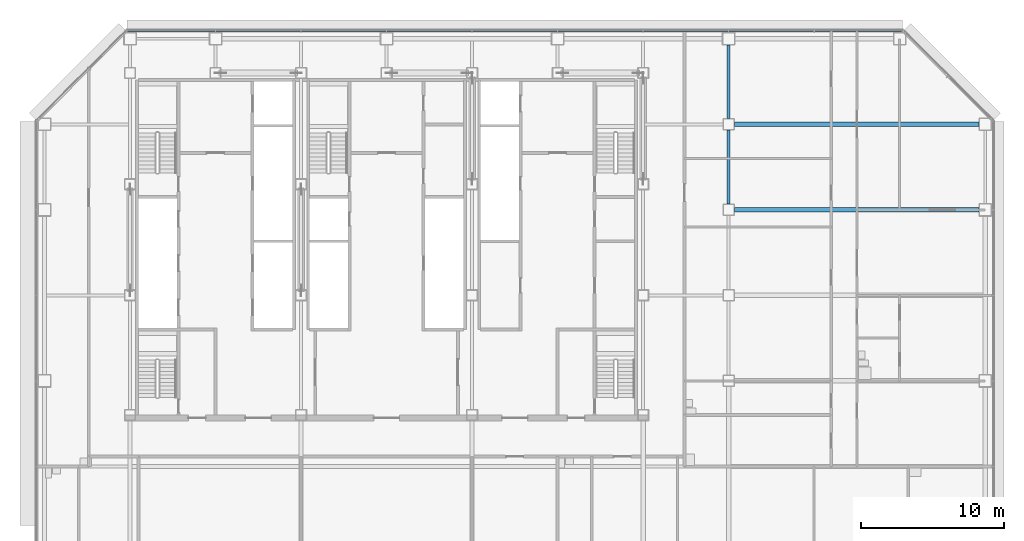
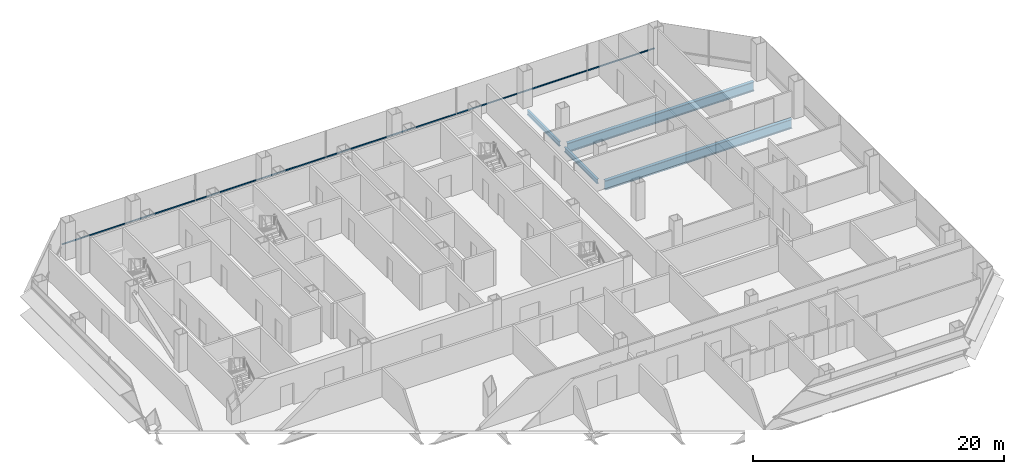
# One storey, part 14 of 27: 4 beams, 1 member, 1 element without a shape of its own.
"""IFC4 building model written with IfcOpenShell, lengths in metres."""

from ifc_helpers import new_model, si_unit, direction, frame, origin, origin_2d, place, context, subcontext, project, spatial, rectangle, i_section, extrude, material, material_profile, profile_set, type_object, element, aggregate, save


model = new_model("IFC4")

# Units and contexts
model_context = context("Model", 3, precision=1e-05, world=origin(), true_north=direction((0.0, 1.0)))
body_context = subcontext(model_context, "Body", "Model", "MODEL_VIEW")
ifc_project = project(units=[si_unit("LENGTHUNIT", "METRE"), si_unit("AREAUNIT", "SQUARE_METRE"), si_unit("VOLUMEUNIT", "CUBIC_METRE"), si_unit("PLANEANGLEUNIT", "RADIAN"), si_unit("MASSUNIT", "GRAM", prefix="KILO")], contexts=[model_context])

# Site, building, storey
site_placement = place(None, origin())
site = spatial("IfcSite", under=ifc_project, at=site_placement, CompositionType="ELEMENT")
building_placement = place(site_placement, origin())
building = spatial("IfcBuilding", under=site, at=building_placement, Name="Sorahane Residences", CompositionType="ELEMENT")
storey_placement = place(building_placement, frame((0.0, 0.0, 57.0)))
storey = spatial("IfcBuildingStorey", under=building, at=storey_placement, Name="L10", CompositionType="ELEMENT", Elevation=57.0)

# Curtain wall, member
ifc_material_1 = material(Name="Dark low-e glass and black anodised aluminium", Category="aluminium")
curtain_wall_type = type_object("IfcCurtainWallType", Name="Curtain wall CW-1 Typical unitised wall", PredefinedType="NOTDEFINED", material=ifc_material_1)
curtain_wall_placement = place(storey_placement, origin())
curtain_wall = element("IfcCurtainWall", 1, at=curtain_wall_placement, inside=storey, type_object=curtain_wall_type, Name="CW-1 curtain wall L10 N1", PredefinedType="NOTDEFINED")
ifc_material_2 = material(Name="Black anodised aluminium", Category="aluminium")
ifc_material_profile_1 = material_profile(ifc_material_2, rectangle(XDim=0.10009765625, YDim=0.06005859375, at=origin_2d()), Name="Curtain wall transom CW-1 black anodised aluminium 60x100")
ifc_profile_set_1 = profile_set([ifc_material_profile_1], Name="Black anodised aluminium")
member_type = type_object("IfcMemberType", Name="Curtain wall transom CW-1 black anodised aluminium 60x100", PredefinedType="USERDEFINED", material=ifc_profile_set_1)
member_placement = place(storey_placement, frame((60.198486328125, 48.530029296875, 0.89990234375), z_axis=(-1.0, 0.0, 0.0), x_axis=(0.0, -1.0, 0.0)))
member = element("IfcMember", 2, at=member_placement, type_object=member_type, Name="CW-1 transom L10 N1", ObjectType="TRANSOM", PredefinedType="USERDEFINED", context=body_context, shape_type="SweptSolid", body=[
    extrude(rectangle(XDim=0.10009765625, YDim=0.06005859375, at=origin_2d()), origin(), (0.0, 0.0, 1.0), 54.39697265625),
])
aggregate(curtain_wall, [member])

# Beams
ifc_material_3 = material(Name="Steel Q355B", Category="steel")
ifc_material_profile_2 = material_profile(ifc_material_3, i_section(OverallWidth=0.199951171875, OverallDepth=0.449951171875, WebThickness=0.009033203125, FlangeThickness=0.013916015625, FilletRadius=0.02001953125, at=origin_2d()), Name="HN 450x200x9x14")
ifc_profile_set_2 = profile_set([ifc_material_profile_2], Name="Steel Q355B")
beam_type_1 = type_object("IfcBeamType", Name="Steel floor beam HN 450x200x9x14 Q355B", PredefinedType="BEAM", material=ifc_profile_set_2)
beam_1_placement = place(storey_placement, frame((48.0, 36.39990234375, -0.405029296875), z_axis=(0.0, 1.0, 0.0), x_axis=(-1.0, 0.0, 0.0)))
element("IfcBeam", 3, at=beam_1_placement, inside=storey, type_object=beam_type_1, Name="Beam L10 055", PredefinedType="BEAM", context=body_context, shape_type="SweptSolid", body=[
    extrude(i_section(OverallWidth=0.199951171875, OverallDepth=0.449951171875, WebThickness=0.009033203125, FlangeThickness=0.013916015625, FilletRadius=0.02001953125, at=origin_2d()), origin(), (0.0, 0.0, 1.0), 5.2001953125),
])
beam_2_placement = place(storey_placement, frame((48.0, 42.39990234375, -0.405029296875), z_axis=(0.0, 1.0, 0.0), x_axis=(-1.0, 0.0, 0.0)))
element("IfcBeam", 4, at=beam_2_placement, inside=storey, type_object=beam_type_1, Name="Beam L10 056", PredefinedType="BEAM", context=body_context, shape_type="SweptSolid", body=[
    extrude(i_section(OverallWidth=0.199951171875, OverallDepth=0.449951171875, WebThickness=0.009033203125, FlangeThickness=0.013916015625, FilletRadius=0.02001953125, at=origin_2d()), origin(), (0.0, 0.0, 1.0), 5.150146484375),
])
ifc_material_4 = material(Name="Steel Q355B", Category="steel")
ifc_material_profile_3 = material_profile(ifc_material_4, i_section(OverallWidth=0.300048828125, OverallDepth=0.89990234375, WebThickness=0.01611328125, FlangeThickness=0.028076171875, FilletRadius=0.028076171875, at=origin_2d()), Name="HN 900x300x16x28")
ifc_profile_set_3 = profile_set([ifc_material_profile_3], Name="Steel Q355B")
beam_type_2 = type_object("IfcBeamType", Name="Steel floor beam HN 900x300x16x28 Q355B", PredefinedType="BEAM", material=ifc_profile_set_3)
for number, where, z_axis, x_axis, name in (
    (5, (48.39990234375, 36.0, -0.6298828125), (1.0, 0.0, 0.0), (0.0, 1.0, 0.0), "Beam L10 011"),
    (6, (48.39990234375, 42.0, -0.6298828125), (1.0, 0.0, 0.0), (0.0, 1.0, 0.0), "Beam L10 081"),
):
    element("IfcBeam", number, at=place(storey_placement, frame(where, z_axis=z_axis, x_axis=x_axis)), inside=storey, type_object=beam_type_2, Name=name, PredefinedType="BEAM", context=body_context, shape_type="SweptSolid", body=[
        extrude(i_section(OverallWidth=0.300048828125, OverallDepth=0.89990234375, WebThickness=0.01611328125, FlangeThickness=0.028076171875, FilletRadius=0.028076171875, at=origin_2d()), origin(), (0.0, 0.0, 1.0), 17.150146484375),
    ])

save(model, "model.ifc")
